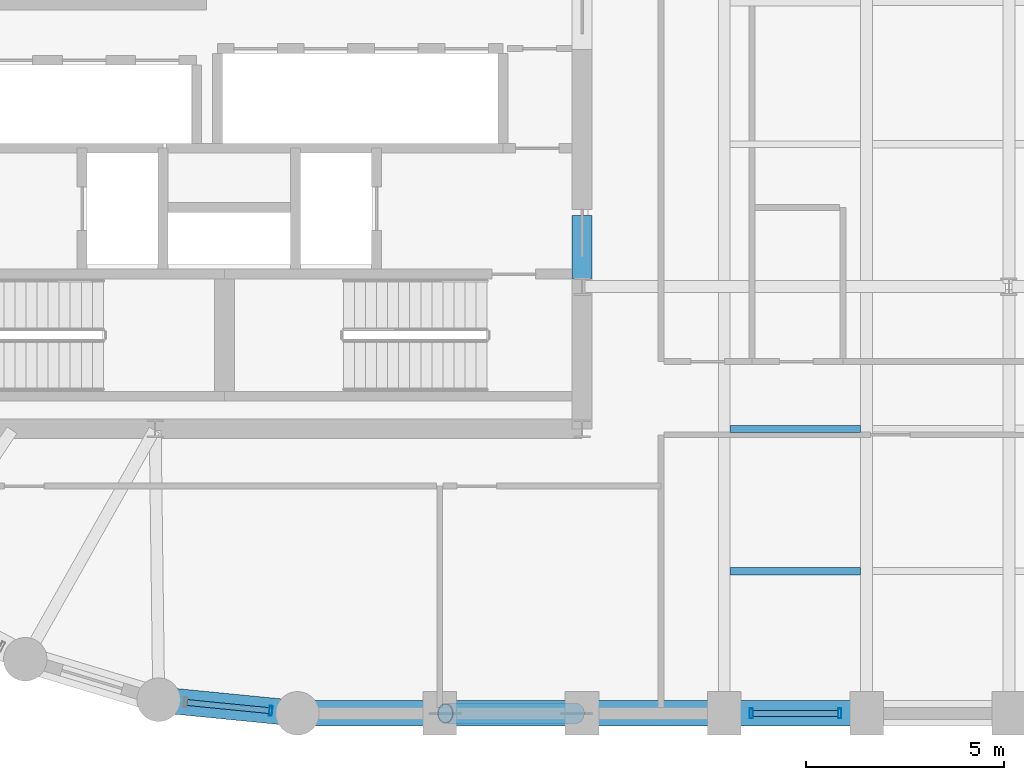
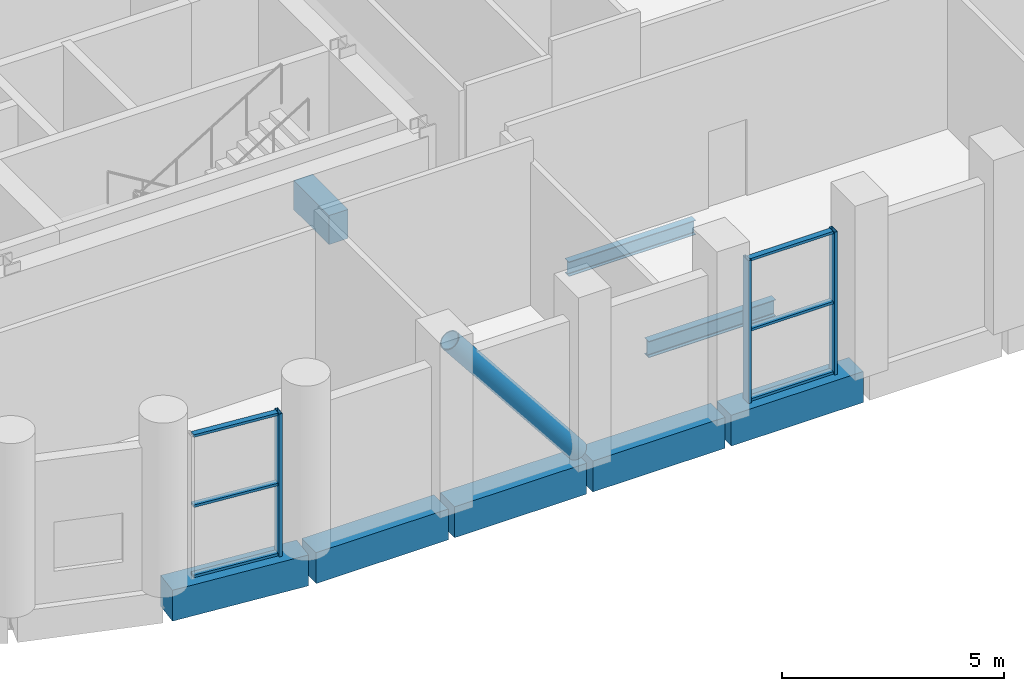
# One storey, part 3 of 22: 10 members, 8 beams, 2 elements without a shape of their own.
"""IFC4 building model written with IfcOpenShell, lengths in metres."""

import ifcopenshell
import ifcopenshell.guid

model = None  # the IFC model being written
_history = None  # IfcOwnerHistory: only IFC2X3 demands one
_inside = {}  # id of a spatial element -> (the spatial element, [elements in it])
_under = {}  # id of a project, library or spatial element -> (it, [spatial elements below it])
_declared = {}  # id of a project -> (the project, [libraries it declares])
_typed = {}  # id of a type object -> (the type object, [elements of that type])
_made_of = {}  # id of a material, layer set ... -> (it, [elements and type objects made of it])


def new_model(schema):
    """Start an empty IFC model of exactly this schema.

    Asked for "IFC4X3", IfcOpenShell would pick the latest addendum, in which some entities
    have other attributes; the version numbers below select the first issue.
    IFC2X3 requires an IfcOwnerHistory on every rooted entity: one is made here for all.
    """
    global model, _history
    if schema == "IFC4X3":
        model = ifcopenshell.file(schema_version=(4, 3, 0, 0))
    else:
        model = ifcopenshell.file(schema=schema)
    _inside.clear()
    _under.clear()
    _declared.clear()
    _typed.clear()
    _made_of.clear()
    _history = None
    if model.schema == "IFC2X3":
        org = make("IfcOrganization", Name="unknown")
        user = make(
            "IfcPersonAndOrganization",
            ThePerson=make("IfcPerson", FamilyName="unknown"),
            TheOrganization=org,
        )
        app = make(
            "IfcApplication",
            ApplicationDeveloper=org,
            Version="unknown",
            ApplicationFullName="unknown",
            ApplicationIdentifier="unknown",
        )
        _history = make(
            "IfcOwnerHistory",
            OwningUser=user,
            OwningApplication=app,
            ChangeAction="ADDED",
            CreationDate=0,
        )
    return model


def make(cls, **values):
    """One entity of the class cls with the attributes given. An attribute that is None is left unset."""
    return model.create_entity(
        cls, **{name: value for name, value in values.items() if value is not None}
    )


def rooted(cls, **values):
    """An entity with a GlobalId (a new one), such as an element, a storey or a relation."""
    return make(cls, GlobalId=ifcopenshell.guid.new(), OwnerHistory=_history, **values)


def si_unit(unit_type, name, prefix=None):
    """IfcSIUnit, for example si_unit("LENGTHUNIT", "METRE", prefix="MILLI")."""
    return make("IfcSIUnit", UnitType=unit_type, Prefix=prefix, Name=name)


def assignment(units):
    """IfcUnitAssignment: the units of a project."""
    return None if units is None else make("IfcUnitAssignment", Units=units)


def point(xyz):
    """IfcCartesianPoint."""
    return None if xyz is None else make("IfcCartesianPoint", Coordinates=xyz)


def direction(xyz):
    """IfcDirection."""
    return None if xyz is None else make("IfcDirection", DirectionRatios=xyz)


def frame(location, z_axis=None, x_axis=None):
    """IfcAxis2Placement3D, a coordinate frame: its origin and axes. An axis left out is left unset."""
    return make(
        "IfcAxis2Placement3D",
        Location=point(location),
        Axis=direction(z_axis),
        RefDirection=direction(x_axis),
    )


def frame_2d(location, x_axis=None):
    """IfcAxis2Placement2D, a coordinate frame in the plane: its origin and x axis."""
    return make(
        "IfcAxis2Placement2D", Location=point(location), RefDirection=direction(x_axis)
    )


def origin():
    """The frame at (0, 0, 0) with its axes left unset."""
    return frame((0.0, 0.0, 0.0))


def origin_2d():
    """The frame at (0, 0) in the plane with its x axis left unset."""
    return frame_2d((0.0, 0.0))


def place(relative_to, where):
    """IfcLocalPlacement: puts the frame where relative to a parent placement (None: the world)."""
    return make(
        "IfcLocalPlacement", PlacementRelTo=relative_to, RelativePlacement=where
    )


def context(
    kind, dimensions, precision=None, world=None, true_north=None, identifier=None
):
    """IfcGeometricRepresentationContext, for example the 3D "Model" context."""
    return make(
        "IfcGeometricRepresentationContext",
        ContextIdentifier=identifier,
        ContextType=kind,
        CoordinateSpaceDimension=dimensions,
        Precision=precision,
        WorldCoordinateSystem=world,
        TrueNorth=true_north,
    )


def subcontext(parent, identifier, kind, view, scale=None):
    """IfcGeometricRepresentationSubContext, for example "Body" below "Model"."""
    return make(
        "IfcGeometricRepresentationSubContext",
        ContextIdentifier=identifier,
        ContextType=kind,
        ParentContext=parent,
        TargetScale=scale,
        TargetView=view,
    )


def project(units=None, contexts=None):
    """IfcProject with its units and contexts."""
    return rooted(
        "IfcProject",
        Name="project",
        RepresentationContexts=contexts,
        UnitsInContext=assignment(units),
    )


def spatial(cls, under=None, at=None, **own):
    """A site, building, storey or space (cls), placed at a placement, below another one or the project."""
    s = rooted(cls, ObjectPlacement=at, **own)
    if under is not None:
        _under.setdefault(under.id(), (under, []))[1].append(s)
    return s


def profile(cls, at=None, kind="AREA", **sizes):
    """A parametric profile (cls). Its sizes go by their IFC names, for example OverallWidth=200.0."""
    return make(cls, ProfileType=kind, Position=at, **sizes)


def rectangle(**sizes):
    """IfcRectangleProfileDef."""
    return profile("IfcRectangleProfileDef", **sizes)


def hollow_rectangle(**sizes):
    """IfcRectangleHollowProfileDef."""
    return profile("IfcRectangleHollowProfileDef", **sizes)


def hollow_circle(**sizes):
    """IfcCircleHollowProfileDef."""
    return profile("IfcCircleHollowProfileDef", **sizes)


def i_section(**sizes):
    """IfcIShapeProfileDef."""
    return profile("IfcIShapeProfileDef", **sizes)


def extrude(swept, where, along, depth):
    """IfcExtrudedAreaSolid: the profile swept, set in the frame where, extruded along a direction by depth."""
    return make(
        "IfcExtrudedAreaSolid",
        SweptArea=swept,
        Position=where,
        ExtrudedDirection=direction(along),
        Depth=depth,
    )


def shape(context_of_items, identifier, shape_type, items):
    """IfcShapeRepresentation: the items that make up one representation, for example the "Body"."""
    return make(
        "IfcShapeRepresentation",
        ContextOfItems=context_of_items,
        RepresentationIdentifier=identifier,
        RepresentationType=shape_type,
        Items=items,
    )


def material(Name=None, Category=None):
    """IfcMaterial."""
    return make("IfcMaterial", Name=Name, Category=Category)


def layer(
    of_material, thickness, ventilated=None, Name=None, Category=None, Priority=None
):
    """IfcMaterialLayer: one layer of a wall or slab, of a material (None: an air gap)."""
    return make(
        "IfcMaterialLayer",
        Material=of_material,
        LayerThickness=thickness,
        IsVentilated=ventilated,
        Name=Name,
        Category=Category,
        Priority=Priority,
    )


def layer_set(layers, Name=None):
    """IfcMaterialLayerSet."""
    return make("IfcMaterialLayerSet", MaterialLayers=layers, LayerSetName=Name)


def material_profile(
    of_material, cross_section, Name=None, Category=None, Priority=None
):
    """IfcMaterialProfile: a cross section and its material."""
    return make(
        "IfcMaterialProfile",
        Name=Name,
        Material=of_material,
        Profile=cross_section,
        Priority=Priority,
        Category=Category,
    )


def profile_set(profiles, Name=None, composite=None):
    """IfcMaterialProfileSet."""
    return make(
        "IfcMaterialProfileSet",
        Name=Name,
        MaterialProfiles=profiles,
        CompositeProfile=composite,
    )


def made_of(thing, what):
    """Note that an element or type object is made of a material, layer set ...; save() writes the relation."""
    if what is not None:
        _made_of.setdefault(what.id(), (what, []))[1].append(thing)
    return thing


def type_object(cls, material=None, **own):
    """A type object (cls), such as IfcWallType, which elements share."""
    return made_of(rooted(cls, **own), material)


def element(
    cls,
    number,
    at=None,
    inside=None,
    cuts=None,
    type_object=None,
    material=None,
    context=None,
    identifier="Body",
    shape_type=None,
    held_by="IfcProductDefinitionShape",
    body=None,
    shapes=None,
    **own,
):
    """One element of the class cls, such as IfcWall. Its Tag is "e" and its number.

    at: its placement. inside: the storey or other place that contains it. cuts: it is an
    opening in that element (IfcRelVoidsElement). A single representation is given by context,
    identifier, shape_type and body (its items); several are given by shapes. held_by: the class
    of the entity that holds the representations. save() writes the other relations.
    """
    e = rooted(cls, Tag="e%d" % number, ObjectPlacement=at, **own)
    if body is not None:
        shapes = [shape(context, identifier, shape_type, body)]
    if shapes is not None:
        e.Representation = make(held_by, Representations=shapes)
    if inside is not None:
        _inside.setdefault(inside.id(), (inside, []))[1].append(e)
    if cuts is not None:
        rooted(
            "IfcRelVoidsElement", RelatingBuildingElement=cuts, RelatedOpeningElement=e
        )
    if type_object is not None:
        _typed.setdefault(type_object.id(), (type_object, []))[1].append(e)
    return made_of(e, material)


def aggregate(whole, parts):
    """IfcRelAggregates: a whole, such as a stair, and the parts it consists of."""
    return rooted("IfcRelAggregates", RelatingObject=whole, RelatedObjects=parts)


def save(model, path):
    """Write the relations noted so far, then the file.

    IfcRelAggregates (storeys below a building ...), IfcRelContainedInSpatialStructure (elements
    in a storey), IfcRelDefinesByType, IfcRelAssociatesMaterial and IfcRelDeclares: one each for
    every whole, place, type object, material and project.
    """
    for whole, parts in _under.values():
        aggregate(whole, parts)
    for where, things in _inside.values():
        rooted(
            "IfcRelContainedInSpatialStructure",
            RelatedElements=things,
            RelatingStructure=where,
        )
    for kind, things in _typed.values():
        rooted("IfcRelDefinesByType", RelatedObjects=things, RelatingType=kind)
    for what, things in _made_of.values():
        rooted("IfcRelAssociatesMaterial", RelatedObjects=things, RelatingMaterial=what)
    for by, libraries in _declared.values():
        rooted("IfcRelDeclares", RelatingContext=by, RelatedDefinitions=libraries)
    model.write(path)


model = new_model("IFC4")

# Units and contexts
model_context = context("Model", 3, precision=1e-05, world=origin(), true_north=direction((0.0, 1.0)))
body_context = subcontext(model_context, "Body", "Model", "MODEL_VIEW")
ifc_project = project(units=[si_unit("LENGTHUNIT", "METRE"), si_unit("AREAUNIT", "SQUARE_METRE"), si_unit("VOLUMEUNIT", "CUBIC_METRE"), si_unit("PLANEANGLEUNIT", "RADIAN"), si_unit("MASSUNIT", "GRAM", prefix="KILO")], contexts=[model_context])

# Site, building, storey
site_placement = place(None, origin())
site = spatial("IfcSite", under=ifc_project, at=site_placement, CompositionType="ELEMENT")
building_placement = place(site_placement, origin())
building = spatial("IfcBuilding", under=site, at=building_placement, Name="Solnavia Interchange Tower", CompositionType="ELEMENT")
storey_placement = place(building_placement, frame((0.0, 0.0, 115.199951171875)))
storey = spatial("IfcBuildingStorey", under=building, at=storey_placement, Name="L28", CompositionType="ELEMENT", Elevation=115.199951171875)

# Beams
ifc_material_1 = material(Name="Concrete C50/60", Category="concrete")
ifc_material_profile_1 = material_profile(ifc_material_1, rectangle(XDim=0.5, YDim=0.800048828125, at=origin_2d()), Name="RC 500x800")
ifc_profile_set_1 = profile_set([ifc_material_profile_1], Name="Concrete C50/60")
beam_type_1 = type_object("IfcBeamType", Name="Beam-Coupling-RC500x800", PredefinedType="LINTEL", material=ifc_profile_set_1)
beam_1_placement = place(storey_placement, frame((32.39990234375, 14.60009765625, -0.39990234375), z_axis=(0.0, 1.0, 0.0), x_axis=(-1.0, 0.0, 0.0)))
element("IfcBeam", 1, at=beam_1_placement, inside=storey, type_object=beam_type_1, Name="CPB-L28-E1 Core coupling lintel beam", PredefinedType="LINTEL", context=body_context, shape_type="SweptSolid", body=[
    extrude(rectangle(XDim=0.5, YDim=0.800048828125, at=origin_2d()), origin(), (0.0, 0.0, 1.0), 1.599853515625),
])
ifc_material_2 = material(Name="Steel S355", Category="steel")
ifc_material_profile_2 = material_profile(ifc_material_2, i_section(OverallWidth=0.179931640625, OverallDepth=0.39990234375, WebThickness=0.008544921875, FlangeThickness=0.013427734375, FilletRadius=0.02099609375, at=origin_2d()), Name="IPE 400")
ifc_profile_set_2 = profile_set([ifc_material_profile_2], Name="Steel S355")
beam_type_2 = type_object("IfcBeamType", Name="Beam-Joist-IPE400", PredefinedType="JOIST", material=ifc_profile_set_2)
beam_2_placement = place(storey_placement, frame((36.14990234375, 10.800048828125, -0.52001953125), z_axis=(1.0, 0.0, 0.0), x_axis=(0.0, 1.0, 0.0)))
element("IfcBeam", 2, at=beam_2_placement, inside=storey, type_object=beam_type_2, Name="JST-L28-E05 East wing secondary joist", PredefinedType="JOIST", context=body_context, shape_type="SweptSolid", body=[
    extrude(i_section(OverallWidth=0.179931640625, OverallDepth=0.39990234375, WebThickness=0.008544921875, FlangeThickness=0.013427734375, FilletRadius=0.02099609375, at=origin_2d()), origin(), (0.0, 0.0, 1.0), 3.300048828125),
])
ifc_material_profile_3 = material_profile(ifc_material_2, i_section(OverallWidth=0.18994140625, OverallDepth=0.449951171875, WebThickness=0.009521484375, FlangeThickness=0.0146484375, FilletRadius=0.02099609375, at=origin_2d()), Name="IPE 450")
ifc_profile_set_3 = profile_set([ifc_material_profile_3], Name="Steel S355")
beam_type_3 = type_object("IfcBeamType", Name="Beam-Joist-IPE450", PredefinedType="JOIST", material=ifc_profile_set_3)
beam_3_placement = place(storey_placement, frame((36.14990234375, 7.199951171875, -0.544921875), z_axis=(1.0, 0.0, 0.0), x_axis=(0.0, 1.0, 0.0)))
element("IfcBeam", 3, at=beam_3_placement, inside=storey, type_object=beam_type_3, Name="JST-L28-E01 East wing secondary joist", PredefinedType="JOIST", context=body_context, shape_type="SweptSolid", body=[
    extrude(i_section(OverallWidth=0.18994140625, OverallDepth=0.449951171875, WebThickness=0.009521484375, FlangeThickness=0.0146484375, FilletRadius=0.02099609375, at=origin_2d()), origin(), (0.0, 0.0, 1.0), 3.300048828125),
])
ifc_material_profile_4 = material_profile(ifc_material_1, rectangle(XDim=0.64990234375, YDim=0.85009765625, at=origin_2d()), Name="RC 650x850")
ifc_profile_set_4 = profile_set([ifc_material_profile_4], Name="Concrete C50/60")
beam_type_4 = type_object("IfcBeamType", Name="Beam-Spandrel-RC650x850", PredefinedType="SPANDREL", material=ifc_profile_set_4)
beam_4_placement = place(storey_placement, frame((21.767578125, 3.938232421875, -0.425048828125), z_axis=(0.995181774609, -0.098047108501, 0.0), x_axis=(0.098047108501, 0.995181774609, 0.0)))
element("IfcBeam", 4, at=beam_4_placement, inside=storey, type_object=beam_type_4, Name="SPB-L28-08 Framed-tube perimeter spandrel beam", PredefinedType="SPANDREL", context=body_context, shape_type="SweptSolid", body=[
    extrude(rectangle(XDim=0.64990234375, YDim=0.85009765625, at=origin_2d()), origin(), (0.0, 0.0, 1.0), 3.368896484375),
])
beam_5_placement = place(storey_placement, frame((25.280029296875, 3.60009765625, -0.425048828125), z_axis=(1.0, 0.0, 0.0), x_axis=(0.0, 1.0, 0.0)))
element("IfcBeam", 5, at=beam_5_placement, inside=storey, type_object=beam_type_4, Name="SPB-L28-09 Framed-tube perimeter spandrel beam", PredefinedType="SPANDREL", context=body_context, shape_type="SweptSolid", body=[
    extrude(rectangle(XDim=0.64990234375, YDim=0.85009765625, at=origin_2d()), origin(), (0.0, 0.0, 1.0), 3.43994140625),
])
beam_6_placement = place(storey_placement, frame((28.8798828125, 3.60009765625, -0.425048828125), z_axis=(1.0, 0.0, 0.0), x_axis=(0.0, 1.0, 0.0)))
element("IfcBeam", 6, at=beam_6_placement, inside=storey, type_object=beam_type_4, Name="SPB-L28-10 Framed-tube perimeter spandrel beam", PredefinedType="SPANDREL", context=body_context, shape_type="SweptSolid", body=[
    extrude(rectangle(XDim=0.64990234375, YDim=0.85009765625, at=origin_2d()), origin(), (0.0, 0.0, 1.0), 3.440185546875),
])
for number, where, z_axis, x_axis, name in (
    (7, (32.47998046875, 3.60009765625, -0.425048828125), (1.0, 0.0, 0.0), (0.0, 1.0, 0.0), "SPB-L28-11 Framed-tube perimeter spandrel beam"),
    (8, (36.080078125, 3.60009765625, -0.425048828125), (1.0, 0.0, 0.0), (0.0, 1.0, 0.0), "SPB-L28-12 Framed-tube perimeter spandrel beam"),
):
    element("IfcBeam", number, at=place(storey_placement, frame(where, z_axis=z_axis, x_axis=x_axis)), inside=storey, type_object=beam_type_4, Name=name, PredefinedType="SPANDREL", context=body_context, shape_type="SweptSolid", body=[
        extrude(rectangle(XDim=0.64990234375, YDim=0.85009765625, at=origin_2d()), origin(), (0.0, 0.0, 1.0), 3.43994140625),
    ])

# Member
ifc_material_3 = material(Name="Steel S460", Category="steel")
ifc_material_profile_5 = material_profile(ifc_material_3, hollow_circle(Radius=0.25390625, WallThickness=0.02490234375, at=origin_2d()), Name="CHS 508x25")
ifc_profile_set_5 = profile_set([ifc_material_profile_5], Name="Steel S460")
member_type_1 = type_object("IfcMemberType", Name="Brace-Perim-CHS508", PredefinedType="BRACE", material=ifc_profile_set_5)
member_1_placement = place(storey_placement, frame((32.260009765625, 3.60009765625, 0.179931640625), z_axis=(-0.621029238576, 0.0, 0.783787397726), x_axis=(0.0, -1.0, 0.0)))
element("IfcMember", 9, at=member_1_placement, inside=storey, type_object=member_type_1, Name="BRC-L28-01 Perimeter tube diagonal brace", PredefinedType="BRACE", context=body_context, shape_type="SweptSolid", body=[
    extrude(hollow_circle(Radius=0.25390625, WallThickness=0.02490234375, at=origin_2d()), origin(), (0.0, 0.0, 1.0), 5.34619140625),
])

# Curtain wall, members
ifc_material_4 = material(Name="Aluminium Alloy 6063-T6", Category="aluminium")
ifc_layer = layer(ifc_material_4, 0.27001953125)
ifc_layer_set = layer_set([ifc_layer], Name="Aluminium Alloy 6063-T6")
curtain_wall_type = type_object("IfcCurtainWallType", Name="CurtainWall-SkyLobby-CTW4", PredefinedType="NOTDEFINED", material=ifc_layer_set)
curtain_wall_1_placement = place(storey_placement, origin())
curtain_wall_1 = element("IfcCurtainWall", 10, at=curtain_wall_1_placement, inside=storey, type_object=curtain_wall_type, Name="CTW-L28-S04 CTW-4 curtain wall", PredefinedType="NOTDEFINED")
ifc_material_profile_6 = material_profile(ifc_material_4, hollow_rectangle(XDim=0.080078125, YDim=0.25, WallThickness=0.006103515625, at=origin_2d()), Name="ALU 250x80x6")
ifc_profile_set_6 = profile_set([ifc_material_profile_6], Name="Aluminium Alloy 6063-T6")
member_type_2 = type_object("IfcMemberType", Name="CW-Mullion-CWM-4", PredefinedType="MULLION", material=ifc_profile_set_6)
member_2_placement = place(storey_placement, frame((36.679931640625, 3.60009765625, 0.0), z_axis=(0.0, 0.0, 1.0), x_axis=(1.0, 0.0, 0.0)))
member_2 = element("IfcMember", 11, at=member_2_placement, type_object=member_type_2, Name="CTW-4 mullion 1", PredefinedType="MULLION", context=body_context, shape_type="SweptSolid", body=[
    extrude(hollow_rectangle(XDim=0.080078125, YDim=0.25, WallThickness=0.006103515625, at=origin_2d()), origin(), (0.0, 0.0, 1.0), 3.929931640625),
])
member_3_placement = place(storey_placement, frame((38.919921875, 3.60009765625, 0.0), z_axis=(0.0, 0.0, 1.0), x_axis=(1.0, 0.0, 0.0)))
member_3 = element("IfcMember", 12, at=member_3_placement, type_object=member_type_2, Name="CTW-4 mullion 2", PredefinedType="MULLION", context=body_context, shape_type="SweptSolid", body=[
    extrude(hollow_rectangle(XDim=0.080078125, YDim=0.25, WallThickness=0.006103515625, at=origin_2d()), origin(), (0.0, 0.0, 1.0), 3.929931640625),
])

# Curtain wall, member
curtain_wall_2_placement = place(storey_placement, origin())
curtain_wall_2 = element("IfcCurtainWall", 13, at=curtain_wall_2_placement, inside=storey, type_object=curtain_wall_type, Name="CTW-L28-S62 CTW-4 curtain wall", PredefinedType="NOTDEFINED")
member_4_placement = place(storey_placement, frame((24.523193359375, 3.66650390625, 0.0), z_axis=(0.0, 0.0, 1.0), x_axis=(0.995177934818, -0.098086074705, 0.0)))
member_4 = element("IfcMember", 14, at=member_4_placement, type_object=member_type_2, Name="CTW-4 mullion 2", PredefinedType="MULLION", context=body_context, shape_type="SweptSolid", body=[
    extrude(hollow_rectangle(XDim=0.080078125, YDim=0.25, WallThickness=0.006103515625, at=origin_2d()), origin(), (0.0, 0.0, 1.0), 3.929931640625),
])

# Member
ifc_material_profile_7 = material_profile(ifc_material_4, hollow_rectangle(XDim=0.070068359375, YDim=0.14990234375, WallThickness=0.00439453125, at=origin_2d()), Name="ALU 150x70x4.5")
ifc_profile_set_7 = profile_set([ifc_material_profile_7], Name="Aluminium Alloy 6063-T6")
member_type_3 = type_object("IfcMemberType", Name="CW-Transom-CWT-4", PredefinedType="USERDEFINED", material=ifc_profile_set_7)
member_5_placement = place(storey_placement, frame((36.719970703125, 3.60009765625, 0.03515625), z_axis=(1.0, 0.0, 0.0), x_axis=(0.0, 0.0, 1.0)))
member_5 = element("IfcMember", 15, at=member_5_placement, type_object=member_type_3, Name="CTW-4 transom 1.1", ObjectType="TRANSOM", PredefinedType="USERDEFINED", context=body_context, shape_type="SweptSolid", body=[
    extrude(hollow_rectangle(XDim=0.070068359375, YDim=0.14990234375, WallThickness=0.00439453125, at=origin_2d()), origin(), (0.0, 0.0, 1.0), 2.159912109375),
])

member_6_placement = place(storey_placement, frame((36.719970703125, 3.60009765625, 1.965087890625), z_axis=(1.0, 0.0, 0.0), x_axis=(0.0, 0.0, 1.0)))
member_6 = element("IfcMember", 16, at=member_6_placement, type_object=member_type_3, Name="CTW-4 transom 1.2", ObjectType="TRANSOM", PredefinedType="USERDEFINED", context=body_context, shape_type="SweptSolid", body=[
    extrude(hollow_rectangle(XDim=0.070068359375, YDim=0.14990234375, WallThickness=0.00439453125, at=origin_2d()), origin(), (0.0, 0.0, 1.0), 2.159912109375),
])

member_7_placement = place(storey_placement, frame((36.719970703125, 3.60009765625, 3.89501953125), z_axis=(1.0, 0.0, 0.0), x_axis=(0.0, 0.0, 1.0)))
member_7 = element("IfcMember", 17, at=member_7_placement, type_object=member_type_3, Name="CTW-4 transom 1.3", ObjectType="TRANSOM", PredefinedType="USERDEFINED", context=body_context, shape_type="SweptSolid", body=[
    extrude(hollow_rectangle(XDim=0.070068359375, YDim=0.14990234375, WallThickness=0.00439453125, at=origin_2d()), origin(), (0.0, 0.0, 1.0), 2.159912109375),
])

aggregate(curtain_wall_1, [member_2, member_3, member_5, member_6, member_7])

member_8_placement = place(storey_placement, frame((22.404541015625, 3.87548828125, 0.03515625), z_axis=(0.995180784718, -0.098057155417, 0.0), x_axis=(0.0, 0.0, 1.0)))
member_8 = element("IfcMember", 18, at=member_8_placement, type_object=member_type_3, Name="CTW-4 transom 1.1", ObjectType="TRANSOM", PredefinedType="USERDEFINED", context=body_context, shape_type="SweptSolid", body=[
    extrude(hollow_rectangle(XDim=0.070068359375, YDim=0.14990234375, WallThickness=0.00439453125, at=origin_2d()), origin(), (0.0, 0.0, 1.0), 2.0888671875),
])

member_9_placement = place(storey_placement, frame((22.404541015625, 3.87548828125, 1.965087890625), z_axis=(0.995180784718, -0.098057155417, 0.0), x_axis=(0.0, 0.0, 1.0)))
member_9 = element("IfcMember", 19, at=member_9_placement, type_object=member_type_3, Name="CTW-4 transom 1.2", ObjectType="TRANSOM", PredefinedType="USERDEFINED", context=body_context, shape_type="SweptSolid", body=[
    extrude(hollow_rectangle(XDim=0.070068359375, YDim=0.14990234375, WallThickness=0.00439453125, at=origin_2d()), origin(), (0.0, 0.0, 1.0), 2.0888671875),
])

member_10_placement = place(storey_placement, frame((22.404541015625, 3.87548828125, 3.89501953125), z_axis=(0.995180784718, -0.098057155417, 0.0), x_axis=(0.0, 0.0, 1.0)))
member_10 = element("IfcMember", 20, at=member_10_placement, type_object=member_type_3, Name="CTW-4 transom 1.3", ObjectType="TRANSOM", PredefinedType="USERDEFINED", context=body_context, shape_type="SweptSolid", body=[
    extrude(hollow_rectangle(XDim=0.070068359375, YDim=0.14990234375, WallThickness=0.00439453125, at=origin_2d()), origin(), (0.0, 0.0, 1.0), 2.0888671875),
])

aggregate(curtain_wall_2, [member_4, member_8, member_9, member_10])

save(model, "model.ifc")
